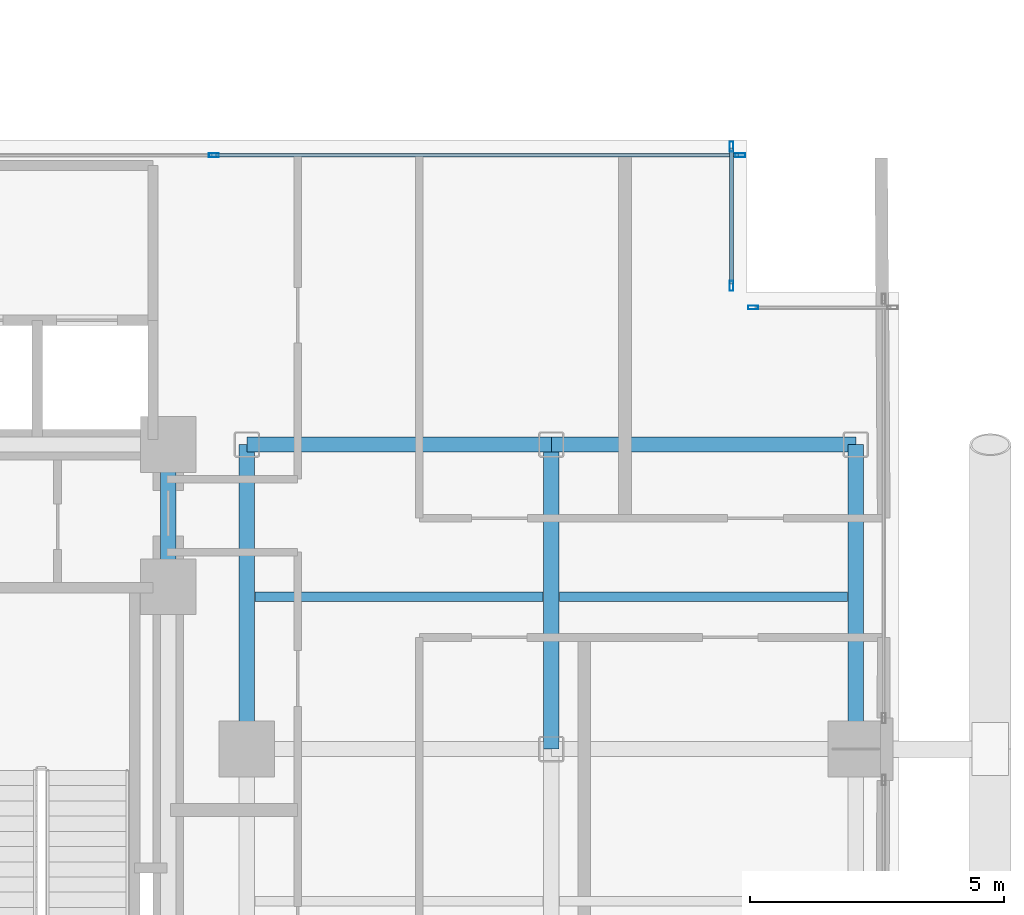
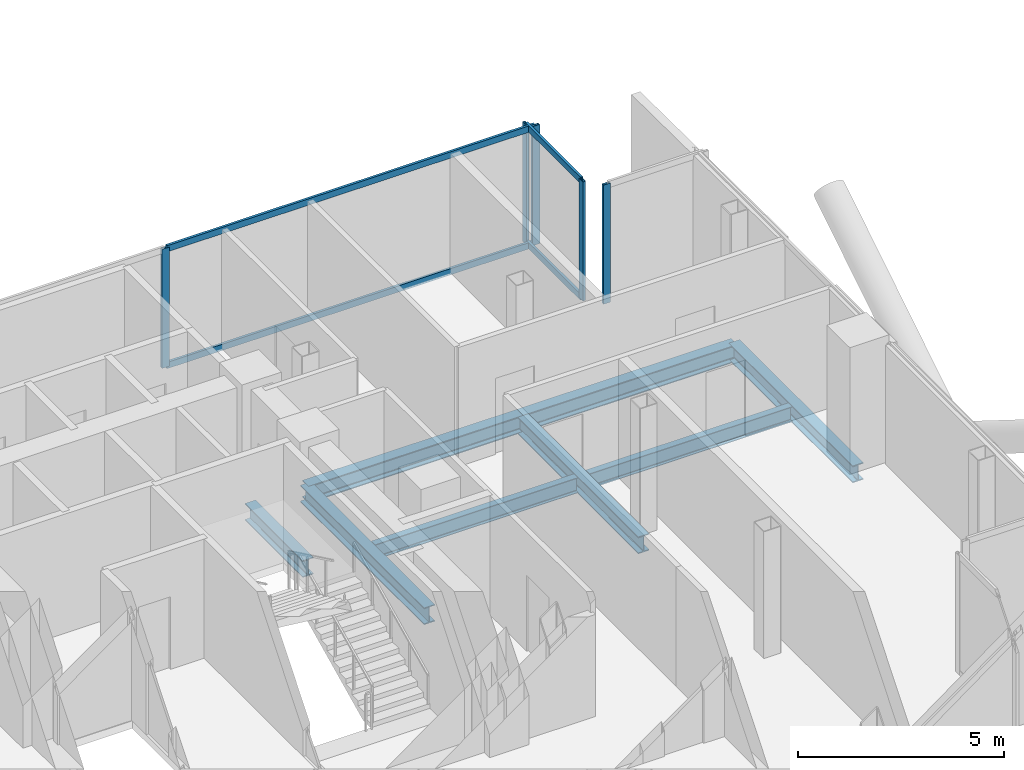
# One storey, part 12 of 24: 9 members, 8 beams, 3 elements without a shape of their own.
"""IFC4 building model written with IfcOpenShell, lengths in metres."""

from ifc_helpers import new_model, si_unit, direction, frame, origin, origin_2d, place, context, subcontext, project, spatial, hollow_rectangle, i_section, extrude, material, layer, layer_set, material_profile, profile_set, type_object, element, aggregate, save


model = new_model("IFC4")

# Units and contexts
model_context = context("Model", 3, precision=1e-05, world=origin(), true_north=direction((0.0, 1.0)))
body_context = subcontext(model_context, "Body", "Model", "MODEL_VIEW")
ifc_project = project(units=[si_unit("LENGTHUNIT", "METRE"), si_unit("AREAUNIT", "SQUARE_METRE"), si_unit("VOLUMEUNIT", "CUBIC_METRE"), si_unit("PLANEANGLEUNIT", "RADIAN"), si_unit("MASSUNIT", "GRAM", prefix="KILO"), si_unit("THERMODYNAMICTEMPERATUREUNIT", "KELVIN"), si_unit("POWERUNIT", "WATT")], contexts=[model_context])

# Site, building, storey
site_placement = place(None, origin())
site = spatial("IfcSite", under=ifc_project, at=site_placement, CompositionType="ELEMENT")
building_placement = place(site_placement, origin())
building = spatial("IfcBuilding", under=site, at=building_placement, Name="Svarakhadi Broadcast Tower", CompositionType="ELEMENT")
storey_placement = place(building_placement, frame((0.0, 0.0, 130.64990234375)))
storey = spatial("IfcBuildingStorey", under=building, at=storey_placement, Name="L31", CompositionType="ELEMENT", Elevation=130.64990234375)

# Beams
ifc_material_1 = material(Name="Steel S355J2 (IS 2062 E350C)", Category="steel")
ifc_material_profile_1 = material_profile(ifc_material_1, i_section(OverallWidth=0.18994140625, OverallDepth=0.449951171875, WebThickness=0.009521484375, FlangeThickness=0.0146484375, FilletRadius=0.02099609375, at=origin_2d()), Name="NPB 450x190x78")
ifc_profile_set_1 = profile_set([ifc_material_profile_1], Name="Steel S355J2 (IS 2062 E350C)")
beam_type_1 = type_object("IfcBeamType", Name="Beam_NPB450", PredefinedType="BEAM", material=ifc_profile_set_1)
for number, where, z_axis, x_axis, name in (
    (1, (35.31005859375, 15.0, -0.449951171875), (1.0, 0.0, 0.0), (0.0, 1.0, 0.0), "L31 Secondary Composite Beam SB021"),
    (2, (41.31005859375, 15.0, -0.449951171875), (1.0, 0.0, 0.0), (0.0, 1.0, 0.0), "L31 Secondary Composite Beam SB023"),
):
    element("IfcBeam", number, at=place(storey_placement, frame(where, z_axis=z_axis, x_axis=x_axis)), inside=storey, type_object=beam_type_1, Name=name, PredefinedType="BEAM", context=body_context, shape_type="SweptSolid", body=[
        extrude(i_section(OverallWidth=0.18994140625, OverallDepth=0.449951171875, WebThickness=0.009521484375, FlangeThickness=0.0146484375, FilletRadius=0.02099609375, at=origin_2d()), origin(), (0.0, 0.0, 1.0), 5.679931640625),
    ])

# Curtain wall, members
ifc_material_2 = material(Name="Anodised Bronze Aluminium AA 6063-T6", Category="aluminium")
ifc_layer = layer(ifc_material_2, 0.199951171875)
ifc_layer_set = layer_set([ifc_layer], Name="Anodised Bronze Aluminium AA 6063-T6")
curtain_wall_type = type_object("IfcCurtainWallType", Name="CW_Sys_03", PredefinedType="NOTDEFINED", material=ifc_layer_set)
curtain_wall_1_placement = place(storey_placement, origin())
curtain_wall_1 = element("IfcCurtainWall", 3, at=curtain_wall_1_placement, inside=storey, type_object=curtain_wall_type, Name="L31 Unitised Facade Curtain Wall 10", PredefinedType="NOTDEFINED")
ifc_material_profile_2 = material_profile(ifc_material_2, hollow_rectangle(XDim=0.074951171875, YDim=0.199951171875, WallThickness=0.005615234375, at=origin_2d()), Name="ALU MULLION 200x75x6")
ifc_profile_set_2 = profile_set([ifc_material_profile_2], Name="Anodised Bronze Aluminium AA 6063-T6")
member_type_1 = type_object("IfcMemberType", Name="CW_Sys_03_Mul", PredefinedType="MULLION", material=ifc_profile_set_2)
member_1_placement = place(storey_placement, frame((34.5, 23.699951171875, 0.0), z_axis=(0.0, 0.0, 1.0), x_axis=(0.0, 1.0, 0.0)))
member_1 = element("IfcMember", 4, at=member_1_placement, type_object=member_type_1, Name="CW-03 mullion 2", PredefinedType="MULLION", context=body_context, shape_type="SweptSolid", body=[
    extrude(hollow_rectangle(XDim=0.074951171875, YDim=0.199951171875, WallThickness=0.005615234375, at=origin_2d()), origin(), (0.0, 0.0, 1.0), 3.525146484375),
])
member_2_placement = place(storey_placement, frame((44.87255859375, 23.699951171875, 0.0), z_axis=(0.0, 0.0, 1.0), x_axis=(0.0, 1.0, 0.0)))
member_2 = element("IfcMember", 5, at=member_2_placement, type_object=member_type_1, Name="CW-03 mullion 3", PredefinedType="MULLION", context=body_context, shape_type="SweptSolid", body=[
    extrude(hollow_rectangle(XDim=0.074951171875, YDim=0.199951171875, WallThickness=0.005615234375, at=origin_2d()), origin(), (0.0, 0.0, 1.0), 3.525146484375),
])

curtain_wall_2_placement = place(storey_placement, origin())
curtain_wall_2 = element("IfcCurtainWall", 6, at=curtain_wall_2_placement, inside=storey, type_object=curtain_wall_type, Name="L31 Unitised Facade Curtain Wall 11", PredefinedType="NOTDEFINED")
member_3_placement = place(storey_placement, frame((44.699951171875, 23.87255859375, 0.0), z_axis=(0.0, 0.0, 1.0), x_axis=(1.0, 0.0, 0.0)))
member_3 = element("IfcMember", 7, at=member_3_placement, type_object=member_type_1, Name="CW-03 mullion 1", PredefinedType="MULLION", context=body_context, shape_type="SweptSolid", body=[
    extrude(hollow_rectangle(XDim=0.074951171875, YDim=0.199951171875, WallThickness=0.005615234375, at=origin_2d()), origin(), (0.0, 0.0, 1.0), 3.525146484375),
])
member_4_placement = place(storey_placement, frame((44.699951171875, 21.12744140625, 0.0), z_axis=(0.0, 0.0, 1.0), x_axis=(1.0, 0.0, 0.0)))
member_4 = element("IfcMember", 8, at=member_4_placement, type_object=member_type_1, Name="CW-03 mullion 2", PredefinedType="MULLION", context=body_context, shape_type="SweptSolid", body=[
    extrude(hollow_rectangle(XDim=0.074951171875, YDim=0.199951171875, WallThickness=0.005615234375, at=origin_2d()), origin(), (0.0, 0.0, 1.0), 3.525146484375),
])

# Curtain wall, member
curtain_wall_3_placement = place(storey_placement, origin())
curtain_wall_3 = element("IfcCurtainWall", 9, at=curtain_wall_3_placement, inside=storey, type_object=curtain_wall_type, Name="L31 Unitised Facade Curtain Wall 12", PredefinedType="NOTDEFINED")
member_5_placement = place(storey_placement, frame((45.12744140625, 20.699951171875, 0.0), z_axis=(0.0, 0.0, 1.0), x_axis=(0.0, 1.0, 0.0)))
member_5 = element("IfcMember", 10, at=member_5_placement, type_object=member_type_1, Name="CW-03 mullion 1", PredefinedType="MULLION", context=body_context, shape_type="SweptSolid", body=[
    extrude(hollow_rectangle(XDim=0.074951171875, YDim=0.199951171875, WallThickness=0.005615234375, at=origin_2d()), origin(), (0.0, 0.0, 1.0), 3.525146484375),
])
aggregate(curtain_wall_3, [member_5])

# Member
ifc_material_profile_3 = material_profile(ifc_material_2, hollow_rectangle(XDim=0.070068359375, YDim=0.18505859375, WallThickness=0.0048828125, at=origin_2d()), Name="ALU TRANSOM 185x70x5")
ifc_profile_set_3 = profile_set([ifc_material_profile_3], Name="Anodised Bronze Aluminium AA 6063-T6")
member_type_2 = type_object("IfcMemberType", Name="CW_Sys_03_Trn", PredefinedType="USERDEFINED", material=ifc_profile_set_3)
member_6_placement = place(storey_placement, frame((34.53759765625, 23.699951171875, 0.03515625), z_axis=(1.0, 0.0, 0.0), x_axis=(0.0, 1.0, 0.0)))
member_6 = element("IfcMember", 11, at=member_6_placement, type_object=member_type_2, Name="CW-03 transom 2.1", ObjectType="TRANSOM", PredefinedType="USERDEFINED", context=body_context, shape_type="SweptSolid", body=[
    extrude(hollow_rectangle(XDim=0.070068359375, YDim=0.18505859375, WallThickness=0.0048828125, at=origin_2d()), origin(), (0.0, 0.0, 1.0), 10.29736328125),
])

member_7_placement = place(storey_placement, frame((34.53759765625, 23.699951171875, 3.489990234375), z_axis=(1.0, 0.0, 0.0), x_axis=(0.0, 1.0, 0.0)))
member_7 = element("IfcMember", 12, at=member_7_placement, type_object=member_type_2, Name="CW-03 transom 2.2", ObjectType="TRANSOM", PredefinedType="USERDEFINED", context=body_context, shape_type="SweptSolid", body=[
    extrude(hollow_rectangle(XDim=0.070068359375, YDim=0.18505859375, WallThickness=0.0048828125, at=origin_2d()), origin(), (0.0, 0.0, 1.0), 10.29736328125),
])

aggregate(curtain_wall_1, [member_1, member_2, member_6, member_7])

member_8_placement = place(storey_placement, frame((44.699951171875, 23.8349609375, 0.03515625), z_axis=(0.0, -1.0, 0.0), x_axis=(1.0, 0.0, 0.0)))
member_8 = element("IfcMember", 13, at=member_8_placement, type_object=member_type_2, Name="CW-03 transom 1.1", ObjectType="TRANSOM", PredefinedType="USERDEFINED", context=body_context, shape_type="SweptSolid", body=[
    extrude(hollow_rectangle(XDim=0.070068359375, YDim=0.18505859375, WallThickness=0.0048828125, at=origin_2d()), origin(), (0.0, 0.0, 1.0), 2.669921875),
])

member_9_placement = place(storey_placement, frame((44.699951171875, 23.8349609375, 3.489990234375), z_axis=(0.0, -1.0, 0.0), x_axis=(1.0, 0.0, 0.0)))
member_9 = element("IfcMember", 14, at=member_9_placement, type_object=member_type_2, Name="CW-03 transom 1.2", ObjectType="TRANSOM", PredefinedType="USERDEFINED", context=body_context, shape_type="SweptSolid", body=[
    extrude(hollow_rectangle(XDim=0.070068359375, YDim=0.18505859375, WallThickness=0.0048828125, at=origin_2d()), origin(), (0.0, 0.0, 1.0), 2.669921875),
])

aggregate(curtain_wall_2, [member_3, member_4, member_8, member_9])

# Beams
ifc_material_profile_4 = material_profile(ifc_material_1, i_section(OverallWidth=0.300048828125, OverallDepth=0.5, WebThickness=0.014404296875, FlangeThickness=0.028076171875, FilletRadius=0.027099609375, at=origin_2d()), Name="WPB 500x300x187")
ifc_profile_set_4 = profile_set([ifc_material_profile_4], Name="Steel S355J2 (IS 2062 E350C)")
beam_type_2 = type_object("IfcBeamType", Name="Girder_WPB500", PredefinedType="USERDEFINED", material=ifc_profile_set_4)
for number, where, z_axis, x_axis, name in (
    (15, (35.14990234375, 18.0, -0.474853515625), (1.0, 0.0, 0.0), (0.0, 1.0, 0.0), "L31 Primary E-W Girder G028"),
    (16, (41.14990234375, 18.0, -0.474853515625), (1.0, 0.0, 0.0), (0.0, 1.0, 0.0), "L31 Primary E-W Girder G029"),
):
    element("IfcBeam", number, at=place(storey_placement, frame(where, z_axis=z_axis, x_axis=x_axis)), inside=storey, type_object=beam_type_2, Name=name, ObjectType="GIRDER", PredefinedType="USERDEFINED", context=body_context, shape_type="SweptSolid", body=[
        extrude(i_section(OverallWidth=0.300048828125, OverallDepth=0.5, WebThickness=0.014404296875, FlangeThickness=0.028076171875, FilletRadius=0.027099609375, at=origin_2d()), origin(), (0.0, 0.0, 1.0), 6.0),
    ])
beam_placement = place(storey_placement, frame((33.60009765625, 15.199951171875, -0.474853515625), z_axis=(0.0, 1.0, 0.0), x_axis=(-1.0, 0.0, 0.0)))
element("IfcBeam", 17, at=beam_placement, inside=storey, type_object=beam_type_2, Name="L31 Primary N-S Girder G066", ObjectType="GIRDER", PredefinedType="USERDEFINED", context=body_context, shape_type="SweptSolid", body=[
    extrude(i_section(OverallWidth=0.300048828125, OverallDepth=0.5, WebThickness=0.014404296875, FlangeThickness=0.028076171875, FilletRadius=0.027099609375, at=origin_2d()), origin(), (0.0, 0.0, 1.0), 2.800048828125),
])
for number, where, z_axis, x_axis, name in (
    (18, (35.14990234375, 12.0, -0.474853515625), (0.0, 1.0, 0.0), (-1.0, 0.0, 0.0), "L31 Primary N-S Girder G069"),
    (19, (41.14990234375, 12.0, -0.474853515625), (0.0, 1.0, 0.0), (-1.0, 0.0, 0.0), "L31 Primary N-S Girder G072"),
    (20, (47.14990234375, 12.0, -0.474853515625), (0.0, 1.0, 0.0), (-1.0, 0.0, 0.0), "L31 Primary N-S Girder G074"),
):
    element("IfcBeam", number, at=place(storey_placement, frame(where, z_axis=z_axis, x_axis=x_axis)), inside=storey, type_object=beam_type_2, Name=name, ObjectType="GIRDER", PredefinedType="USERDEFINED", context=body_context, shape_type="SweptSolid", body=[
        extrude(i_section(OverallWidth=0.300048828125, OverallDepth=0.5, WebThickness=0.014404296875, FlangeThickness=0.028076171875, FilletRadius=0.027099609375, at=origin_2d()), origin(), (0.0, 0.0, 1.0), 6.0),
    ])

save(model, "model.ifc")
